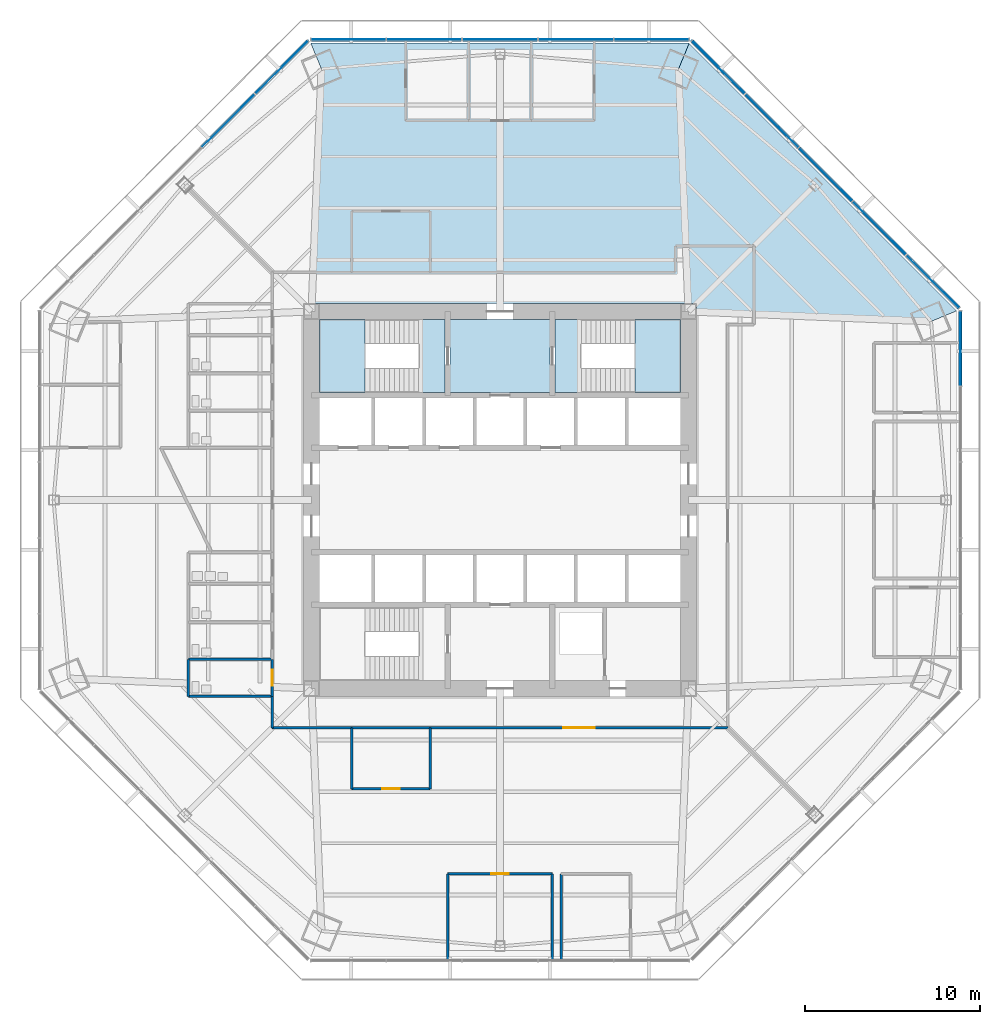
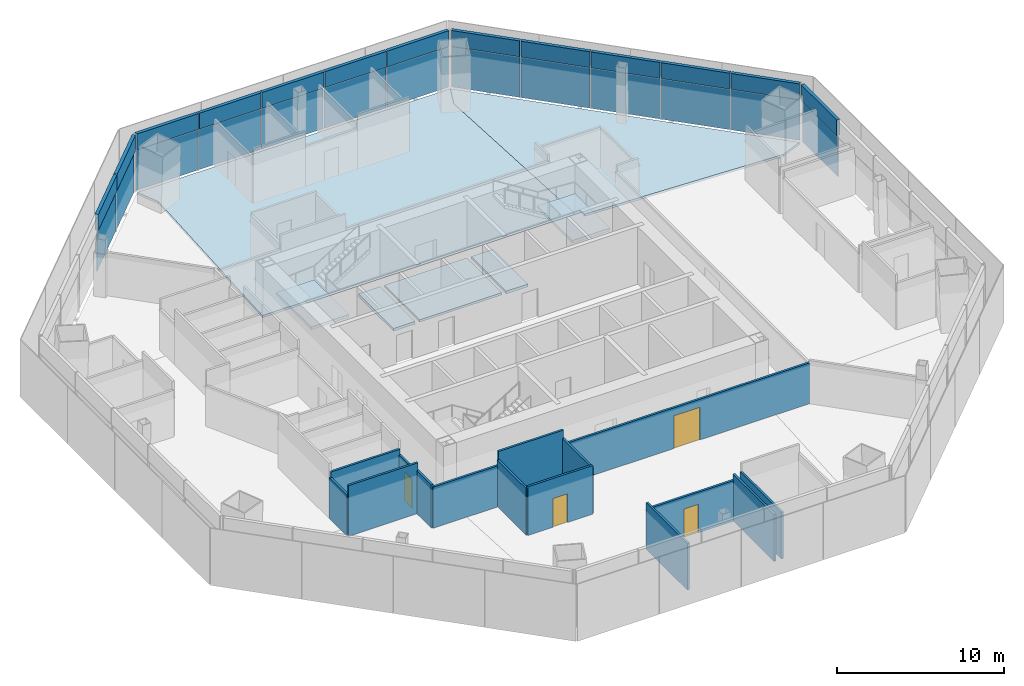
# One storey, part 9 of 15: 26 plates, 15 walls, 7 slabs, 4 doors, 4 openings, 6 elements without a shape of their own.
"""IFC4 building model written with IfcOpenShell, lengths in metres."""

import ifcopenshell
import ifcopenshell.guid

model = None  # the IFC model being written
_history = None  # IfcOwnerHistory: only IFC2X3 demands one
_inside = {}  # id of a spatial element -> (the spatial element, [elements in it])
_under = {}  # id of a project, library or spatial element -> (it, [spatial elements below it])
_declared = {}  # id of a project -> (the project, [libraries it declares])
_typed = {}  # id of a type object -> (the type object, [elements of that type])
_made_of = {}  # id of a material, layer set ... -> (it, [elements and type objects made of it])


def new_model(schema):
    """Start an empty IFC model of exactly this schema.

    Asked for "IFC4X3", IfcOpenShell would pick the latest addendum, in which some entities
    have other attributes; the version numbers below select the first issue.
    IFC2X3 requires an IfcOwnerHistory on every rooted entity: one is made here for all.
    """
    global model, _history
    if schema == "IFC4X3":
        model = ifcopenshell.file(schema_version=(4, 3, 0, 0))
    else:
        model = ifcopenshell.file(schema=schema)
    _inside.clear()
    _under.clear()
    _declared.clear()
    _typed.clear()
    _made_of.clear()
    _history = None
    if model.schema == "IFC2X3":
        org = make("IfcOrganization", Name="unknown")
        user = make(
            "IfcPersonAndOrganization",
            ThePerson=make("IfcPerson", FamilyName="unknown"),
            TheOrganization=org,
        )
        app = make(
            "IfcApplication",
            ApplicationDeveloper=org,
            Version="unknown",
            ApplicationFullName="unknown",
            ApplicationIdentifier="unknown",
        )
        _history = make(
            "IfcOwnerHistory",
            OwningUser=user,
            OwningApplication=app,
            ChangeAction="ADDED",
            CreationDate=0,
        )
    return model


def make(cls, **values):
    """One entity of the class cls with the attributes given. An attribute that is None is left unset."""
    return model.create_entity(
        cls, **{name: value for name, value in values.items() if value is not None}
    )


def rooted(cls, **values):
    """An entity with a GlobalId (a new one), such as an element, a storey or a relation."""
    return make(cls, GlobalId=ifcopenshell.guid.new(), OwnerHistory=_history, **values)


def si_unit(unit_type, name, prefix=None):
    """IfcSIUnit, for example si_unit("LENGTHUNIT", "METRE", prefix="MILLI")."""
    return make("IfcSIUnit", UnitType=unit_type, Prefix=prefix, Name=name)


def assignment(units):
    """IfcUnitAssignment: the units of a project."""
    return None if units is None else make("IfcUnitAssignment", Units=units)


def point(xyz):
    """IfcCartesianPoint."""
    return None if xyz is None else make("IfcCartesianPoint", Coordinates=xyz)


def direction(xyz):
    """IfcDirection."""
    return None if xyz is None else make("IfcDirection", DirectionRatios=xyz)


def frame(location, z_axis=None, x_axis=None):
    """IfcAxis2Placement3D, a coordinate frame: its origin and axes. An axis left out is left unset."""
    return make(
        "IfcAxis2Placement3D",
        Location=point(location),
        Axis=direction(z_axis),
        RefDirection=direction(x_axis),
    )


def frame_2d(location, x_axis=None):
    """IfcAxis2Placement2D, a coordinate frame in the plane: its origin and x axis."""
    return make(
        "IfcAxis2Placement2D", Location=point(location), RefDirection=direction(x_axis)
    )


def origin():
    """The frame at (0, 0, 0) with its axes left unset."""
    return frame((0.0, 0.0, 0.0))


def origin_2d():
    """The frame at (0, 0) in the plane with its x axis left unset."""
    return frame_2d((0.0, 0.0))


def place(relative_to, where):
    """IfcLocalPlacement: puts the frame where relative to a parent placement (None: the world)."""
    return make(
        "IfcLocalPlacement", PlacementRelTo=relative_to, RelativePlacement=where
    )


def context(
    kind, dimensions, precision=None, world=None, true_north=None, identifier=None
):
    """IfcGeometricRepresentationContext, for example the 3D "Model" context."""
    return make(
        "IfcGeometricRepresentationContext",
        ContextIdentifier=identifier,
        ContextType=kind,
        CoordinateSpaceDimension=dimensions,
        Precision=precision,
        WorldCoordinateSystem=world,
        TrueNorth=true_north,
    )


def subcontext(parent, identifier, kind, view, scale=None):
    """IfcGeometricRepresentationSubContext, for example "Body" below "Model"."""
    return make(
        "IfcGeometricRepresentationSubContext",
        ContextIdentifier=identifier,
        ContextType=kind,
        ParentContext=parent,
        TargetScale=scale,
        TargetView=view,
    )


def project(units=None, contexts=None):
    """IfcProject with its units and contexts."""
    return rooted(
        "IfcProject",
        Name="project",
        RepresentationContexts=contexts,
        UnitsInContext=assignment(units),
    )


def spatial(cls, under=None, at=None, **own):
    """A site, building, storey or space (cls), placed at a placement, below another one or the project."""
    s = rooted(cls, ObjectPlacement=at, **own)
    if under is not None:
        _under.setdefault(under.id(), (under, []))[1].append(s)
    return s


def polyline(points):
    """IfcPolyline through the points."""
    return make("IfcPolyline", Points=[point(p) for p in points])


def profile(cls, at=None, kind="AREA", **sizes):
    """A parametric profile (cls). Its sizes go by their IFC names, for example OverallWidth=200.0."""
    return make(cls, ProfileType=kind, Position=at, **sizes)


def rectangle(**sizes):
    """IfcRectangleProfileDef."""
    return profile("IfcRectangleProfileDef", **sizes)


def outline(outer, holes=None, kind="AREA"):
    """IfcArbitraryClosedProfileDef: a profile drawn as a closed curve; with holes, ...WithVoids."""
    if holes is None:
        return make("IfcArbitraryClosedProfileDef", ProfileType=kind, OuterCurve=outer)
    return make(
        "IfcArbitraryProfileDefWithVoids",
        ProfileType=kind,
        OuterCurve=outer,
        InnerCurves=holes,
    )


def extrude(swept, where, along, depth):
    """IfcExtrudedAreaSolid: the profile swept, set in the frame where, extruded along a direction by depth."""
    return make(
        "IfcExtrudedAreaSolid",
        SweptArea=swept,
        Position=where,
        ExtrudedDirection=direction(along),
        Depth=depth,
    )


def shape(context_of_items, identifier, shape_type, items):
    """IfcShapeRepresentation: the items that make up one representation, for example the "Body"."""
    return make(
        "IfcShapeRepresentation",
        ContextOfItems=context_of_items,
        RepresentationIdentifier=identifier,
        RepresentationType=shape_type,
        Items=items,
    )


def source(mapping_origin, context_of_items, identifier, shape_type, items):
    """IfcRepresentationMap: a shape defined once, which mapped items show again and again."""
    return make(
        "IfcRepresentationMap",
        MappingOrigin=mapping_origin,
        MappedRepresentation=shape(context_of_items, identifier, shape_type, items),
    )


def transform(
    local_origin,
    x_axis=None,
    y_axis=None,
    z_axis=None,
    scale=None,
    scale2=None,
    scale3=None,
    uniform=True,
):
    """IfcCartesianTransformationOperator3D, or its non-uniform kind. x_axis, y_axis, z_axis: its Axis1, 2, 3."""
    if uniform:
        return make(
            "IfcCartesianTransformationOperator3D",
            Axis1=direction(x_axis),
            Axis2=direction(y_axis),
            LocalOrigin=point(local_origin),
            Scale=scale,
            Axis3=direction(z_axis),
        )
    return make(
        "IfcCartesianTransformationOperator3DnonUniform",
        Axis1=direction(x_axis),
        Axis2=direction(y_axis),
        LocalOrigin=point(local_origin),
        Scale=scale,
        Axis3=direction(z_axis),
        Scale2=scale2,
        Scale3=scale3,
    )


def mapped(mapping_source, mapping_target):
    """IfcMappedItem: shows the shape of a source again, moved by a transform."""
    return make(
        "IfcMappedItem", MappingSource=mapping_source, MappingTarget=mapping_target
    )


def material(Name=None, Category=None):
    """IfcMaterial."""
    return make("IfcMaterial", Name=Name, Category=Category)


def layer(
    of_material, thickness, ventilated=None, Name=None, Category=None, Priority=None
):
    """IfcMaterialLayer: one layer of a wall or slab, of a material (None: an air gap)."""
    return make(
        "IfcMaterialLayer",
        Material=of_material,
        LayerThickness=thickness,
        IsVentilated=ventilated,
        Name=Name,
        Category=Category,
        Priority=Priority,
    )


def layer_set(layers, Name=None):
    """IfcMaterialLayerSet."""
    return make("IfcMaterialLayerSet", MaterialLayers=layers, LayerSetName=Name)


def made_of(thing, what):
    """Note that an element or type object is made of a material, layer set ...; save() writes the relation."""
    if what is not None:
        _made_of.setdefault(what.id(), (what, []))[1].append(thing)
    return thing


def type_object(cls, material=None, **own):
    """A type object (cls), such as IfcWallType, which elements share."""
    return made_of(rooted(cls, **own), material)


def type_shapes(of_type, sources):
    """Give a type object the sources (RepresentationMaps) that its elements show as mapped items."""
    of_type.RepresentationMaps = sources


def element(
    cls,
    number,
    at=None,
    inside=None,
    cuts=None,
    type_object=None,
    material=None,
    context=None,
    identifier="Body",
    shape_type=None,
    held_by="IfcProductDefinitionShape",
    body=None,
    shapes=None,
    **own,
):
    """One element of the class cls, such as IfcWall. Its Tag is "e" and its number.

    at: its placement. inside: the storey or other place that contains it. cuts: it is an
    opening in that element (IfcRelVoidsElement). A single representation is given by context,
    identifier, shape_type and body (its items); several are given by shapes. held_by: the class
    of the entity that holds the representations. save() writes the other relations.
    """
    e = rooted(cls, Tag="e%d" % number, ObjectPlacement=at, **own)
    if body is not None:
        shapes = [shape(context, identifier, shape_type, body)]
    if shapes is not None:
        e.Representation = make(held_by, Representations=shapes)
    if inside is not None:
        _inside.setdefault(inside.id(), (inside, []))[1].append(e)
    if cuts is not None:
        rooted(
            "IfcRelVoidsElement", RelatingBuildingElement=cuts, RelatedOpeningElement=e
        )
    if type_object is not None:
        _typed.setdefault(type_object.id(), (type_object, []))[1].append(e)
    return made_of(e, material)


def fill(opening, filler):
    """IfcRelFillsElement: the door or window that sits in an opening."""
    return rooted(
        "IfcRelFillsElement",
        RelatingOpeningElement=opening,
        RelatedBuildingElement=filler,
    )


def aggregate(whole, parts):
    """IfcRelAggregates: a whole, such as a stair, and the parts it consists of."""
    return rooted("IfcRelAggregates", RelatingObject=whole, RelatedObjects=parts)


def save(model, path):
    """Write the relations noted so far, then the file.

    IfcRelAggregates (storeys below a building ...), IfcRelContainedInSpatialStructure (elements
    in a storey), IfcRelDefinesByType, IfcRelAssociatesMaterial and IfcRelDeclares: one each for
    every whole, place, type object, material and project.
    """
    for whole, parts in _under.values():
        aggregate(whole, parts)
    for where, things in _inside.values():
        rooted(
            "IfcRelContainedInSpatialStructure",
            RelatedElements=things,
            RelatingStructure=where,
        )
    for kind, things in _typed.values():
        rooted("IfcRelDefinesByType", RelatedObjects=things, RelatingType=kind)
    for what, things in _made_of.values():
        rooted("IfcRelAssociatesMaterial", RelatedObjects=things, RelatingMaterial=what)
    for by, libraries in _declared.values():
        rooted("IfcRelDeclares", RelatingContext=by, RelatedDefinitions=libraries)
    model.write(path)


model = new_model("IFC4")

# Units and contexts
model_context = context("Model", 3, precision=1e-05, world=origin(), true_north=direction((0.0, 1.0)))
body_context = subcontext(model_context, "Body", "Model", "MODEL_VIEW")
ifc_project = project(units=[si_unit("LENGTHUNIT", "METRE"), si_unit("AREAUNIT", "SQUARE_METRE"), si_unit("VOLUMEUNIT", "CUBIC_METRE"), si_unit("PLANEANGLEUNIT", "RADIAN"), si_unit("MASSUNIT", "GRAM", prefix="KILO")], contexts=[model_context])

# Site, building, storey
site_placement = place(None, origin())
site = spatial("IfcSite", under=ifc_project, at=site_placement, CompositionType="ELEMENT")
building_placement = place(site_placement, origin())
building = spatial("IfcBuilding", under=site, at=building_placement, Name="Mashrafa Tower", CompositionType="ELEMENT")
storey_placement = place(building_placement, frame((0.0, 0.0, 58.199951171875)))
storey = spatial("IfcBuildingStorey", under=building, at=storey_placement, Name="L12", CompositionType="ELEMENT", Elevation=58.199951171875)

# Slabs
ifc_material_1 = material(Name="Concrete C35/45", Category="concrete")
ifc_layer_1 = layer(ifc_material_1, 0.1650390625)
ifc_layer_set_1 = layer_set([ifc_layer_1], Name="Floor slab 165")
slab_type_1 = type_object("IfcSlabType", Name="Floor slab 165", PredefinedType="FLOOR", material=ifc_layer_set_1)
slab_1_placement = place(storey_placement, frame((0.0, 0.0, -0.1650390625)))
element("IfcSlab", 1, at=slab_1_placement, inside=storey, type_object=slab_type_1, Name="Floor slab L12 north-east bay", PredefinedType="FLOOR", context=body_context, shape_type="SweptSolid", body=[
    extrude(outline(polyline([(10.83935546875, 26.168212890625), (26.168212890625, 10.83935546875), (26.168212890625, 10.83935546875), (24.69482421875, 10.22900390625), (11.25, 10.781494140625), (11.25, 11.25), (10.781494140625, 11.25), (10.22900390625, 24.69482421875), (10.83935546875, 26.168212890625), (10.83935546875, 26.168212890625)])), origin(), (0.0, 0.0, 1.0), 0.1650390625),
])
slab_2_placement = place(storey_placement, frame((0.0, 0.0, -0.1650390625)))
element("IfcSlab", 2, at=slab_2_placement, inside=storey, type_object=slab_type_1, Name="Floor slab L12 north bay", PredefinedType="FLOOR", context=body_context, shape_type="SweptSolid", body=[
    extrude(outline(polyline([(10.83935546875, 26.168212890625), (10.22900390625, 24.69482421875), (10.781494140625, 11.25), (-10.781494140625, 11.25), (-10.22900390625, 24.69482421875), (-10.83935546875, 26.168212890625), (10.83935546875, 26.168212890625)])), origin(), (0.0, 0.0, 1.0), 0.1650390625),
])
slab_3_placement = place(storey_placement, frame((0.0, 0.0, -0.1650390625)))
element("IfcSlab", 3, at=slab_3_placement, inside=storey, type_object=slab_type_1, Name="Core floor fire-fighting lobby north L12", PredefinedType="FLOOR", context=body_context, shape_type="SweptSolid", body=[
    extrude(outline(polyline([(-2.85009765625, 10.35009765625), (2.85009765625, 10.35009765625), (2.85009765625, 6.14990234375), (-2.85009765625, 6.14990234375), (-2.85009765625, 10.35009765625)])), origin(), (0.0, 0.0, 1.0), 0.1650390625),
])

# Stair, slabs
ifc_material_2 = material(Name="Exit stair 1400")
stair_type = type_object("IfcStairType", Name="Exit stair 1400", PredefinedType="HALF_TURN_STAIR", material=ifc_material_2)
stair_1_placement = place(storey_placement, origin())
stair_1 = element("IfcStair", 4, at=stair_1_placement, inside=storey, type_object=stair_type, Name="Stair S1 L12", PredefinedType="HALF_TURN_STAIR")
ifc_material_3 = material(Name="Concrete C32/40", Category="concrete")
ifc_layer_2 = layer(ifc_material_3, 0.199951171875)
ifc_layer_set_2 = layer_set([ifc_layer_2], Name="Stair landing 200")
slab_type_2 = type_object("IfcSlabType", Name="Stair landing 200", PredefinedType="LANDING", material=ifc_layer_set_2)
slab_4_placement = place(storey_placement, frame((0.0, 0.0, -0.199951171875)))
slab_4 = element("IfcSlab", 5, at=slab_4_placement, type_object=slab_type_2, Name="S1 landing 1", PredefinedType="LANDING", context=body_context, shape_type="SweptSolid", body=[
    extrude(outline(polyline([(-4.659912109375, 6.14990234375), (-3.14990234375, 6.14990234375), (-3.14990234375, 10.35009765625), (-4.659912109375, 10.35009765625), (-4.659912109375, 6.14990234375)])), origin(), (0.0, 0.0, 1.0), 0.199951171875),
])
slab_5_placement = place(storey_placement, frame((0.0, 0.0, 1.900146484375)))
slab_5 = element("IfcSlab", 6, at=slab_5_placement, type_object=slab_type_2, Name="S1 landing 2", PredefinedType="LANDING", context=body_context, shape_type="SweptSolid", body=[
    extrude(outline(polyline([(-10.35009765625, 6.14990234375), (-7.719970703125, 6.14990234375), (-7.719970703125, 10.35009765625), (-10.35009765625, 10.35009765625), (-10.35009765625, 6.14990234375)])), origin(), (0.0, 0.0, 1.0), 0.199951171875),
])
aggregate(stair_1, [slab_4, slab_5])

stair_2_placement = place(storey_placement, origin())
stair_2 = element("IfcStair", 7, at=stair_2_placement, inside=storey, type_object=stair_type, Name="Stair S2 L12", PredefinedType="HALF_TURN_STAIR")
slab_6_placement = place(storey_placement, frame((0.0, 0.0, -0.199951171875)))
slab_6 = element("IfcSlab", 8, at=slab_6_placement, type_object=slab_type_2, Name="S2 landing 1", PredefinedType="LANDING", context=body_context, shape_type="SweptSolid", body=[
    extrude(outline(polyline([(3.14990234375, 6.14990234375), (4.659912109375, 6.14990234375), (4.659912109375, 10.35009765625), (3.14990234375, 10.35009765625), (3.14990234375, 6.14990234375)])), origin(), (0.0, 0.0, 1.0), 0.199951171875),
])
slab_7_placement = place(storey_placement, frame((0.0, 0.0, 1.900146484375)))
slab_7 = element("IfcSlab", 9, at=slab_7_placement, type_object=slab_type_2, Name="S2 landing 2", PredefinedType="LANDING", context=body_context, shape_type="SweptSolid", body=[
    extrude(outline(polyline([(7.719970703125, 6.14990234375), (10.35009765625, 6.14990234375), (10.35009765625, 10.35009765625), (7.719970703125, 10.35009765625), (7.719970703125, 6.14990234375)])), origin(), (0.0, 0.0, 1.0), 0.199951171875),
])
aggregate(stair_2, [slab_6, slab_7])

# Curtain wall, plate
ifc_material_4 = material(Name="Unitised aluminium curtain wall", Category="aluminium")
curtain_wall_type = type_object("IfcCurtainWallType", Name="Office curtain wall, zone 1 CW-A 200 deep", PredefinedType="NOTDEFINED", material=ifc_material_4)
curtain_wall_1_placement = place(storey_placement, origin())
curtain_wall_1 = element("IfcCurtainWall", 10, at=curtain_wall_1_placement, inside=storey, type_object=curtain_wall_type, Name="Office curtain wall, zone 1 L12 east", PredefinedType="NOTDEFINED")
ifc_material_5 = material(Name="Insulated double glazing, low-e, neutral", Category="glass")
ifc_layer_3 = layer(ifc_material_5, 0.028076171875)
ifc_layer_set_3 = layer_set([ifc_layer_3], Name="Vision panel CW-A 28")
plate_type_1 = type_object("IfcPlateType", Name="Vision panel CW-A 28", PredefinedType="CURTAIN_PANEL", material=ifc_layer_set_3)
shared_shape_1 = source(origin(), body_context, "Body", "SweptSolid", [
    extrude(rectangle(XDim=4.250732421875, YDim=0.028076171875, at=origin_2d()), origin(), (0.0, 0.0, 1.0), 2.9599609375),
])
plate_1_placement = place(storey_placement, frame((26.368408203125, 8.680419921875, 0.0), z_axis=(0.0, 0.0, 1.0), x_axis=(0.0, 1.0, 0.0)))
plate_1 = element("IfcPlate", 11, at=plate_1_placement, type_object=plate_type_1, Name="CW-A vision panel 5", PredefinedType="CURTAIN_PANEL", context=body_context, shape_type="MappedRepresentation", body=[
    mapped(shared_shape_1, transform((0.0, 0.0, 0.0))),
])

# Curtain wall, plates
curtain_wall_2_placement = place(storey_placement, origin())
curtain_wall_2 = element("IfcCurtainWall", 12, at=curtain_wall_2_placement, inside=storey, type_object=curtain_wall_type, Name="Office curtain wall, zone 1 L12 north-east", PredefinedType="NOTDEFINED")
plate_2_placement = place(storey_placement, frame((24.783203125, 12.50732421875, 0.0), z_axis=(0.0, 0.0, 1.0), x_axis=(-0.707106781187, 0.707106781187, 0.0)))
plate_2 = element("IfcPlate", 13, at=plate_2_placement, type_object=plate_type_1, Name="CW-A vision panel 1", PredefinedType="CURTAIN_PANEL", context=body_context, shape_type="MappedRepresentation", body=[
    mapped(shared_shape_1, transform((0.0, 0.0, 0.0))),
])
plate_3_placement = place(storey_placement, frame((12.50732421875, 24.783203125, 0.0), z_axis=(0.0, 0.0, 1.0), x_axis=(-0.707106781187, 0.707106781187, 0.0)))
plate_3 = element("IfcPlate", 14, at=plate_3_placement, type_object=plate_type_1, Name="CW-A vision panel 5", PredefinedType="CURTAIN_PANEL", context=body_context, shape_type="MappedRepresentation", body=[
    mapped(shared_shape_1, transform((0.0, 0.0, 0.0))),
])

curtain_wall_3_placement = place(storey_placement, origin())
curtain_wall_3 = element("IfcCurtainWall", 15, at=curtain_wall_3_placement, inside=storey, type_object=curtain_wall_type, Name="Office curtain wall, zone 1 L12 north", PredefinedType="NOTDEFINED")
plate_4_placement = place(storey_placement, frame((8.680419921875, 26.368408203125, 0.0), z_axis=(0.0, 0.0, 1.0), x_axis=(-1.0, 0.0, 0.0)))
plate_4 = element("IfcPlate", 16, at=plate_4_placement, type_object=plate_type_1, Name="CW-A vision panel 1", PredefinedType="CURTAIN_PANEL", context=body_context, shape_type="MappedRepresentation", body=[
    mapped(shared_shape_1, transform((0.0, 0.0, 0.0))),
])
plate_5_placement = place(storey_placement, frame((-8.680419921875, 26.368408203125, 0.0), z_axis=(0.0, 0.0, 1.0), x_axis=(-1.0, 0.0, 0.0)))
plate_5 = element("IfcPlate", 17, at=plate_5_placement, type_object=plate_type_1, Name="CW-A vision panel 5", PredefinedType="CURTAIN_PANEL", context=body_context, shape_type="MappedRepresentation", body=[
    mapped(shared_shape_1, transform((0.0, 0.0, 0.0))),
])

# Curtain wall, plate
curtain_wall_4_placement = place(storey_placement, origin())
curtain_wall_4 = element("IfcCurtainWall", 18, at=curtain_wall_4_placement, inside=storey, type_object=curtain_wall_type, Name="Office curtain wall, zone 1 L12 north-west", PredefinedType="NOTDEFINED")
plate_6_placement = place(storey_placement, frame((-12.50732421875, 24.783203125, 0.0), z_axis=(0.0, 0.0, 1.0), x_axis=(-0.707106781187, -0.707106781187, 0.0)))
plate_6 = element("IfcPlate", 19, at=plate_6_placement, type_object=plate_type_1, Name="CW-A vision panel 1", PredefinedType="CURTAIN_PANEL", context=body_context, shape_type="MappedRepresentation", body=[
    mapped(shared_shape_1, transform((0.0, 0.0, 0.0))),
])

# Plate
ifc_material_6 = material(Name="Insulated aluminium spandrel panel", Category="aluminium")
ifc_layer_4 = layer(ifc_material_6, 0.219970703125)
ifc_layer_set_4 = layer_set([ifc_layer_4], Name="Spandrel panel CW-A 220")
plate_type_2 = type_object("IfcPlateType", Name="Spandrel panel CW-A 220", PredefinedType="CURTAIN_PANEL", material=ifc_layer_set_4)
shared_shape_2 = source(origin(), body_context, "Body", "SweptSolid", [
    extrude(rectangle(XDim=4.250732421875, YDim=0.219970703125, at=origin_2d()), origin(), (0.0, 0.0, 1.0), 1.159912109375),
])
plate_7_placement = place(storey_placement, frame((26.368408203125, 8.680419921875, 3.0400390625), z_axis=(0.0, 0.0, 1.0), x_axis=(0.0, 1.0, 0.0)))
plate_7 = element("IfcPlate", 20, at=plate_7_placement, type_object=plate_type_2, Name="CW-A spandrel panel 5", PredefinedType="CURTAIN_PANEL", context=body_context, shape_type="MappedRepresentation", body=[
    mapped(shared_shape_2, transform((0.0, 0.0, 0.0))),
])

aggregate(curtain_wall_1, [plate_1, plate_7])

plate_8_placement = place(storey_placement, frame((24.783203125, 12.50732421875, 3.0400390625), z_axis=(0.0, 0.0, 1.0), x_axis=(-0.707106781187, 0.707106781187, 0.0)))
plate_8 = element("IfcPlate", 21, at=plate_8_placement, type_object=plate_type_2, Name="CW-A spandrel panel 1", PredefinedType="CURTAIN_PANEL", context=body_context, shape_type="MappedRepresentation", body=[
    mapped(shared_shape_2, transform((0.0, 0.0, 0.0))),
])

plate_9_placement = place(storey_placement, frame((12.50732421875, 24.783203125, 3.0400390625), z_axis=(0.0, 0.0, 1.0), x_axis=(-0.707106781187, 0.707106781187, 0.0)))
plate_9 = element("IfcPlate", 22, at=plate_9_placement, type_object=plate_type_2, Name="CW-A spandrel panel 5", PredefinedType="CURTAIN_PANEL", context=body_context, shape_type="MappedRepresentation", body=[
    mapped(shared_shape_2, transform((0.0, 0.0, 0.0))),
])

plate_10_placement = place(storey_placement, frame((8.680419921875, 26.368408203125, 3.0400390625), z_axis=(0.0, 0.0, 1.0), x_axis=(-1.0, 0.0, 0.0)))
plate_10 = element("IfcPlate", 23, at=plate_10_placement, type_object=plate_type_2, Name="CW-A spandrel panel 1", PredefinedType="CURTAIN_PANEL", context=body_context, shape_type="MappedRepresentation", body=[
    mapped(shared_shape_2, transform((0.0, 0.0, 0.0))),
])

plate_11_placement = place(storey_placement, frame((-8.680419921875, 26.368408203125, 3.0400390625), z_axis=(0.0, 0.0, 1.0), x_axis=(-1.0, 0.0, 0.0)))
plate_11 = element("IfcPlate", 24, at=plate_11_placement, type_object=plate_type_2, Name="CW-A spandrel panel 5", PredefinedType="CURTAIN_PANEL", context=body_context, shape_type="MappedRepresentation", body=[
    mapped(shared_shape_2, transform((0.0, 0.0, 0.0))),
])

plate_12_placement = place(storey_placement, frame((-12.50732421875, 24.783203125, 3.0400390625), z_axis=(0.0, 0.0, 1.0), x_axis=(-0.707106781187, -0.707106781187, 0.0)))
plate_12 = element("IfcPlate", 25, at=plate_12_placement, type_object=plate_type_2, Name="CW-A spandrel panel 1", PredefinedType="CURTAIN_PANEL", context=body_context, shape_type="MappedRepresentation", body=[
    mapped(shared_shape_2, transform((0.0, 0.0, 0.0))),
])

shared_shape_3 = source(origin(), body_context, "Body", "SweptSolid", [
    extrude(rectangle(XDim=4.283203125, YDim=0.028076171875, at=origin_2d()), origin(), (0.0, 0.0, 1.0), 2.9599609375),
])
type_shapes(plate_type_1, [shared_shape_1, shared_shape_3])
plate_13_placement = place(storey_placement, frame((21.719970703125, 15.570556640625, 0.0), z_axis=(0.0, 0.0, 1.0), x_axis=(-0.707106781187, 0.707106781187, 0.0)))
plate_13 = element("IfcPlate", 26, at=plate_13_placement, type_object=plate_type_1, Name="CW-A vision panel 2", PredefinedType="CURTAIN_PANEL", context=body_context, shape_type="MappedRepresentation", body=[
    mapped(shared_shape_3, transform((0.0, 0.0, 0.0))),
])

plate_14_placement = place(storey_placement, frame((18.645263671875, 18.645263671875, 0.0), z_axis=(0.0, 0.0, 1.0), x_axis=(-0.707106781187, 0.707106781187, 0.0)))
plate_14 = element("IfcPlate", 27, at=plate_14_placement, type_object=plate_type_1, Name="CW-A vision panel 3", PredefinedType="CURTAIN_PANEL", context=body_context, shape_type="MappedRepresentation", body=[
    mapped(shared_shape_3, transform((0.0, 0.0, 0.0))),
])

plate_15_placement = place(storey_placement, frame((15.570556640625, 21.719970703125, 0.0), z_axis=(0.0, 0.0, 1.0), x_axis=(-0.707106781187, 0.707106781187, 0.0)))
plate_15 = element("IfcPlate", 28, at=plate_15_placement, type_object=plate_type_1, Name="CW-A vision panel 4", PredefinedType="CURTAIN_PANEL", context=body_context, shape_type="MappedRepresentation", body=[
    mapped(shared_shape_3, transform((0.0, 0.0, 0.0))),
])

plate_16_placement = place(storey_placement, frame((4.348388671875, 26.368408203125, 0.0), z_axis=(0.0, 0.0, 1.0), x_axis=(-1.0, 0.0, 0.0)))
plate_16 = element("IfcPlate", 29, at=plate_16_placement, type_object=plate_type_1, Name="CW-A vision panel 2", PredefinedType="CURTAIN_PANEL", context=body_context, shape_type="MappedRepresentation", body=[
    mapped(shared_shape_3, transform((0.0, 0.0, 0.0))),
])

plate_17_placement = place(storey_placement, frame((0.0, 26.368408203125, 0.0), z_axis=(0.0, 0.0, 1.0), x_axis=(-1.0, 0.0, 0.0)))
plate_17 = element("IfcPlate", 30, at=plate_17_placement, type_object=plate_type_1, Name="CW-A vision panel 3", PredefinedType="CURTAIN_PANEL", context=body_context, shape_type="MappedRepresentation", body=[
    mapped(shared_shape_3, transform((0.0, 0.0, 0.0))),
])

plate_18_placement = place(storey_placement, frame((-4.348388671875, 26.368408203125, 0.0), z_axis=(0.0, 0.0, 1.0), x_axis=(-1.0, 0.0, 0.0)))
plate_18 = element("IfcPlate", 31, at=plate_18_placement, type_object=plate_type_1, Name="CW-A vision panel 4", PredefinedType="CURTAIN_PANEL", context=body_context, shape_type="MappedRepresentation", body=[
    mapped(shared_shape_3, transform((0.0, 0.0, 0.0))),
])

plate_19_placement = place(storey_placement, frame((-15.570556640625, 21.719970703125, 0.0), z_axis=(0.0, 0.0, 1.0), x_axis=(-0.707106781187, -0.707106781187, 0.0)))
plate_19 = element("IfcPlate", 32, at=plate_19_placement, type_object=plate_type_1, Name="CW-A vision panel 2", PredefinedType="CURTAIN_PANEL", context=body_context, shape_type="MappedRepresentation", body=[
    mapped(shared_shape_3, transform((0.0, 0.0, 0.0))),
])

shared_shape_4 = source(origin(), body_context, "Body", "SweptSolid", [
    extrude(rectangle(XDim=4.283203125, YDim=0.219970703125, at=origin_2d()), origin(), (0.0, 0.0, 1.0), 1.159912109375),
])
type_shapes(plate_type_2, [shared_shape_2, shared_shape_4])
plate_20_placement = place(storey_placement, frame((21.719970703125, 15.570556640625, 3.0400390625), z_axis=(0.0, 0.0, 1.0), x_axis=(-0.707106781187, 0.707106781187, 0.0)))
plate_20 = element("IfcPlate", 33, at=plate_20_placement, type_object=plate_type_2, Name="CW-A spandrel panel 2", PredefinedType="CURTAIN_PANEL", context=body_context, shape_type="MappedRepresentation", body=[
    mapped(shared_shape_4, transform((0.0, 0.0, 0.0))),
])

plate_21_placement = place(storey_placement, frame((18.645263671875, 18.645263671875, 3.0400390625), z_axis=(0.0, 0.0, 1.0), x_axis=(-0.707106781187, 0.707106781187, 0.0)))
plate_21 = element("IfcPlate", 34, at=plate_21_placement, type_object=plate_type_2, Name="CW-A spandrel panel 3", PredefinedType="CURTAIN_PANEL", context=body_context, shape_type="MappedRepresentation", body=[
    mapped(shared_shape_4, transform((0.0, 0.0, 0.0))),
])

plate_22_placement = place(storey_placement, frame((15.570556640625, 21.719970703125, 3.0400390625), z_axis=(0.0, 0.0, 1.0), x_axis=(-0.707106781187, 0.707106781187, 0.0)))
plate_22 = element("IfcPlate", 35, at=plate_22_placement, type_object=plate_type_2, Name="CW-A spandrel panel 4", PredefinedType="CURTAIN_PANEL", context=body_context, shape_type="MappedRepresentation", body=[
    mapped(shared_shape_4, transform((0.0, 0.0, 0.0))),
])

aggregate(curtain_wall_2, [plate_2, plate_8, plate_13, plate_20, plate_14, plate_21, plate_15, plate_22, plate_3, plate_9])

plate_23_placement = place(storey_placement, frame((4.348388671875, 26.368408203125, 3.0400390625), z_axis=(0.0, 0.0, 1.0), x_axis=(-1.0, 0.0, 0.0)))
plate_23 = element("IfcPlate", 36, at=plate_23_placement, type_object=plate_type_2, Name="CW-A spandrel panel 2", PredefinedType="CURTAIN_PANEL", context=body_context, shape_type="MappedRepresentation", body=[
    mapped(shared_shape_4, transform((0.0, 0.0, 0.0))),
])

plate_24_placement = place(storey_placement, frame((0.0, 26.368408203125, 3.0400390625), z_axis=(0.0, 0.0, 1.0), x_axis=(-1.0, 0.0, 0.0)))
plate_24 = element("IfcPlate", 37, at=plate_24_placement, type_object=plate_type_2, Name="CW-A spandrel panel 3", PredefinedType="CURTAIN_PANEL", context=body_context, shape_type="MappedRepresentation", body=[
    mapped(shared_shape_4, transform((0.0, 0.0, 0.0))),
])

plate_25_placement = place(storey_placement, frame((-4.348388671875, 26.368408203125, 3.0400390625), z_axis=(0.0, 0.0, 1.0), x_axis=(-1.0, 0.0, 0.0)))
plate_25 = element("IfcPlate", 38, at=plate_25_placement, type_object=plate_type_2, Name="CW-A spandrel panel 4", PredefinedType="CURTAIN_PANEL", context=body_context, shape_type="MappedRepresentation", body=[
    mapped(shared_shape_4, transform((0.0, 0.0, 0.0))),
])

aggregate(curtain_wall_3, [plate_4, plate_10, plate_16, plate_23, plate_17, plate_24, plate_18, plate_25, plate_5, plate_11])

plate_26_placement = place(storey_placement, frame((-15.570556640625, 21.719970703125, 3.0400390625), z_axis=(0.0, 0.0, 1.0), x_axis=(-0.707106781187, -0.707106781187, 0.0)))
plate_26 = element("IfcPlate", 39, at=plate_26_placement, type_object=plate_type_2, Name="CW-A spandrel panel 2", PredefinedType="CURTAIN_PANEL", context=body_context, shape_type="MappedRepresentation", body=[
    mapped(shared_shape_4, transform((0.0, 0.0, 0.0))),
])

aggregate(curtain_wall_4, [plate_6, plate_12, plate_19, plate_26])

# Wall, opening, door
ifc_material_7 = material(Name="Gypsum board on steel studs", Category="steel")
ifc_layer_5 = layer(ifc_material_7, 0.14990234375)
ifc_layer_set_5 = layer_set([ifc_layer_5], Name="Corridor partition 150 1 hr")
wall_type_1 = type_object("IfcWallType", Name="Corridor partition 150 1 hr", PredefinedType="PARTITIONING", material=ifc_layer_set_5)
wall_1_placement = place(storey_placement, frame((-13.050048828125, -9.1240234375, 0.0), z_axis=(0.0, 0.0, 1.0), x_axis=(0.0, -1.0, 0.0)))
wall_1 = element("IfcWall", 40, at=wall_1_placement, inside=storey, type_object=wall_type_1, Name="Corridor wall L12-005", PredefinedType="PARTITIONING", context=body_context, shape_type="SweptSolid", body=[
    extrude(rectangle(XDim=2.126953125, YDim=0.14990234375, at=frame_2d((1.0634765625, 0.0))), origin(), (0.0, 0.0, 1.0), 3.01416015625),
])
opening_1_placement = place(wall_1_placement, frame((0.613525390625, 0.0, 0.0)))
opening_1 = element("IfcOpeningElement", 41, at=opening_1_placement, cuts=wall_1, Name="Opening 12.005", PredefinedType="OPENING", context=body_context, shape_type="SweptSolid", body=[
    extrude(rectangle(XDim=0.89990234375, YDim=2.10009765625, at=frame_2d((0.449951171875, 1.050048828125))), frame((0.0, 0.0849609375, 0.0), z_axis=(0.0, -1.0, 0.0), x_axis=(1.0, 0.0, 0.0)), (0.0, 0.0, 1.0), 0.169921875),
])
ifc_material_8 = material(Name="Timber door", Category="wood")
door_type_1 = type_object("IfcDoorType", Name="Toilet door 900 x 2100", OperationType="USERDEFINED", PredefinedType="DOOR", material=ifc_material_8)
door_1_placement = place(opening_1_placement, frame((0.89990234375, 0.0, 0.0), z_axis=(0.0, 0.0, 1.0), x_axis=(-1.0, 0.0, 0.0)))
door_1 = element("IfcDoor", 42, at=door_1_placement, inside=storey, type_object=door_type_1, Name="WC Female L12 S door", OperationType="SINGLE_SWING_RIGHT", OverallHeight=2.10009765625, OverallWidth=0.89990234375, PredefinedType="DOOR", context=body_context, shape_type="SweptSolid", body=[
    extrude(rectangle(XDim=0.89990234375, YDim=2.10009765625, at=frame_2d((0.449951171875, 1.050048828125))), frame((0.0, 0.02490234375, 0.0), z_axis=(0.0, -1.0, 0.0), x_axis=(1.0, 0.0, 0.0)), (0.0, 0.0, 1.0), 0.050048828125),
])
fill(opening_1, door_1)

# Walls
wall_2_placement = place(storey_placement, frame((-8.5009765625, -13.050048828125, 0.0), z_axis=(0.0, 0.0, 1.0), x_axis=(1.0, 0.0, 0.0)))
element("IfcWall", 43, at=wall_2_placement, inside=storey, type_object=wall_type_1, Name="Corridor wall L12-011", PredefinedType="PARTITIONING", context=body_context, shape_type="SweptSolid", body=[
    extrude(rectangle(XDim=4.501953125, YDim=0.14990234375, at=frame_2d((2.2509765625, 0.0))), origin(), (0.0, 0.0, 1.0), 4.03515625),
])
wall_3_placement = place(storey_placement, frame((-13.050048828125, -11.2490234375, 0.0), z_axis=(0.0, 0.0, 1.0), x_axis=(0.0, -1.0, 0.0)))
element("IfcWall", 44, at=wall_3_placement, inside=storey, type_object=wall_type_1, Name="Corridor wall L12-019", PredefinedType="PARTITIONING", context=body_context, shape_type="SweptSolid", body=[
    extrude(rectangle(XDim=1.801025390625, YDim=0.14990234375, at=frame_2d((0.900390625, 0.0))), origin(), (0.0, 0.0, 1.0), 3.16650390625),
])
wall_4_placement = place(storey_placement, frame((-13.050048828125, -13.050048828125, 0.0), z_axis=(0.0, 0.0, 1.0), x_axis=(1.0, 0.0, 0.0)))
element("IfcWall", 45, at=wall_4_placement, inside=storey, type_object=wall_type_1, Name="Corridor wall L12-020", PredefinedType="PARTITIONING", context=body_context, shape_type="SweptSolid", body=[
    extrude(rectangle(XDim=4.551025390625, YDim=0.14990234375, at=frame_2d((2.275390625, 0.0))), origin(), (0.0, 0.0, 1.0), 3.01416015625),
])

# Wall, opening, door
wall_5_placement = place(storey_placement, frame((-4.0009765625, -13.050048828125, 0.0), z_axis=(0.0, 0.0, 1.0), x_axis=(1.0, 0.0, 0.0)))
wall_5 = element("IfcWall", 46, at=wall_5_placement, inside=storey, type_object=wall_type_1, Name="Corridor wall L12-022", PredefinedType="PARTITIONING", context=body_context, shape_type="SweptSolid", body=[
    extrude(rectangle(XDim=17.051025390625, YDim=0.14990234375, at=frame_2d((8.525390625, 0.0))), origin(), (0.0, 0.0, 1.0), 2.983642578125),
])
opening_2_placement = place(wall_5_placement, frame((7.62548828125, 0.0, 0.0)))
opening_2 = element("IfcOpeningElement", 47, at=opening_2_placement, cuts=wall_5, Name="Opening 12.023", PredefinedType="OPENING", context=body_context, shape_type="SweptSolid", body=[
    extrude(rectangle(XDim=1.800048828125, YDim=2.39990234375, at=frame_2d((0.89990234375, 1.199951171875))), frame((0.0, 0.0849609375, 0.0), z_axis=(0.0, -1.0, 0.0), x_axis=(1.0, 0.0, 0.0)), (0.0, 0.0, 1.0), 0.169921875),
])
ifc_material_9 = material(Name="Timber door", Category="wood")
door_type_2 = type_object("IfcDoorType", Name="Door pair 1800 x 2400", OperationType="DOUBLE_DOOR_SINGLE_SWING", PredefinedType="DOOR", material=ifc_material_9)
door_2_placement = place(opening_2_placement, origin())
door_2 = element("IfcDoor", 48, at=door_2_placement, inside=storey, type_object=door_type_2, Name="Office Tenancy 12-B door", OperationType="DOUBLE_DOOR_SINGLE_SWING", OverallHeight=2.39990234375, OverallWidth=1.800048828125, PredefinedType="DOOR", context=body_context, shape_type="SweptSolid", body=[
    extrude(rectangle(XDim=1.800048828125, YDim=2.39990234375, at=frame_2d((0.89990234375, 1.199951171875))), frame((0.0, 0.02490234375, 0.0), z_axis=(0.0, -1.0, 0.0), x_axis=(1.0, 0.0, 0.0)), (0.0, 0.0, 1.0), 0.050048828125),
])
fill(opening_2, door_2)

# Walls
ifc_material_10 = material(Name="Gypsum board on steel studs", Category="steel")
ifc_layer_6 = layer(ifc_material_10, 0.14990234375)
ifc_layer_set_6 = layer_set([ifc_layer_6], Name="Partition 150")
wall_type_2 = type_object("IfcWallType", Name="Partition 150", PredefinedType="PARTITIONING", material=ifc_layer_set_6)
wall_6_placement = place(storey_placement, frame((-13.050048828125, -9.125, 0.0), z_axis=(0.0, 0.0, 1.0), x_axis=(-1.0, 0.0, 0.0)))
element("IfcWall", 49, at=wall_6_placement, inside=storey, type_object=wall_type_2, Name="Partition wall L12-032", PredefinedType="PARTITIONING", context=body_context, shape_type="SweptSolid", body=[
    extrude(rectangle(XDim=4.800048828125, YDim=0.14990234375, at=frame_2d((2.39990234375, 0.0))), origin(), (0.0, 0.0, 1.0), 3.423095703125),
])
wall_7_placement = place(storey_placement, frame((-17.85009765625, -9.125, 0.0), z_axis=(0.0, 0.0, 1.0), x_axis=(0.0, -1.0, 0.0)))
element("IfcWall", 50, at=wall_7_placement, inside=storey, type_object=wall_type_2, Name="Partition wall L12-033", PredefinedType="PARTITIONING", context=body_context, shape_type="SweptSolid", body=[
    extrude(rectangle(XDim=2.125, YDim=0.14990234375, at=frame_2d((1.0625, 0.0))), origin(), (0.0, 0.0, 1.0), 3.01416015625),
])
wall_8_placement = place(storey_placement, frame((-17.85009765625, -11.25, 0.0), z_axis=(0.0, 0.0, 1.0), x_axis=(1.0, 0.0, 0.0)))
element("IfcWall", 51, at=wall_8_placement, inside=storey, type_object=wall_type_2, Name="Partition wall L12-034", PredefinedType="PARTITIONING", context=body_context, shape_type="SweptSolid", body=[
    extrude(rectangle(XDim=4.800048828125, YDim=0.14990234375, at=frame_2d((2.39990234375, 0.0))), origin(), (0.0, 0.0, 1.0), 3.715087890625),
])
wall_9_placement = place(storey_placement, frame((3.0, -26.350341796875, 0.0), z_axis=(0.0, 0.0, 1.0), x_axis=(0.0, 1.0, 0.0)))
element("IfcWall", 52, at=wall_9_placement, inside=storey, type_object=wall_type_2, Name="Partition wall L12-050", PredefinedType="PARTITIONING", context=body_context, shape_type="SweptSolid", body=[
    extrude(rectangle(XDim=4.93212890625, YDim=0.14990234375, at=frame_2d((2.466064453125, 0.0))), origin(), (0.0, 0.0, 1.0), 3.423095703125),
])

# Wall, opening, door
wall_10_placement = place(storey_placement, frame((3.0, -21.418212890625, 0.0), z_axis=(0.0, 0.0, 1.0), x_axis=(-1.0, 0.0, 0.0)))
wall_10 = element("IfcWall", 53, at=wall_10_placement, inside=storey, type_object=wall_type_2, Name="Partition wall L12-051", PredefinedType="PARTITIONING", context=body_context, shape_type="SweptSolid", body=[
    extrude(rectangle(XDim=6.0, YDim=0.14990234375, at=frame_2d((3.0, 0.0))), origin(), (0.0, 0.0, 1.0), 2.983642578125),
])
opening_3_placement = place(wall_10_placement, frame((2.5, 0.0, 0.0)))
opening_3 = element("IfcOpeningElement", 54, at=opening_3_placement, cuts=wall_10, Name="Opening 12.012", PredefinedType="OPENING", context=body_context, shape_type="SweptSolid", body=[
    extrude(rectangle(XDim=1.0, YDim=2.10009765625, at=frame_2d((0.5, 1.050048828125))), frame((0.0, 0.0849609375, 0.0), z_axis=(0.0, -1.0, 0.0), x_axis=(1.0, 0.0, 0.0)), (0.0, 0.0, 1.0), 0.169921875),
])
ifc_material_11 = material(Name="Timber door", Category="wood")
door_type_3 = type_object("IfcDoorType", Name="Door 1000 x 2100", OperationType="USERDEFINED", PredefinedType="DOOR", material=ifc_material_11)
door_3_placement = place(opening_3_placement, origin())
door_3 = element("IfcDoor", 55, at=door_3_placement, inside=storey, type_object=door_type_3, Name="Meeting Room 12-B door", OperationType="SINGLE_SWING_LEFT", OverallHeight=2.10009765625, OverallWidth=1.0, PredefinedType="DOOR", context=body_context, shape_type="SweptSolid", body=[
    extrude(rectangle(XDim=1.0, YDim=2.10009765625, at=frame_2d((0.5, 1.050048828125))), frame((0.0, 0.02490234375, 0.0), z_axis=(0.0, -1.0, 0.0), x_axis=(1.0, 0.0, 0.0)), (0.0, 0.0, 1.0), 0.050048828125),
])
fill(opening_3, door_3)

# Walls
wall_11_placement = place(storey_placement, frame((-3.0, -21.418212890625, 0.0), z_axis=(0.0, 0.0, 1.0), x_axis=(0.0, -1.0, 0.0)))
element("IfcWall", 56, at=wall_11_placement, inside=storey, type_object=wall_type_2, Name="Partition wall L12-052", PredefinedType="PARTITIONING", context=body_context, shape_type="SweptSolid", body=[
    extrude(rectangle(XDim=4.93212890625, YDim=0.14990234375, at=frame_2d((2.466064453125, 0.0))), origin(), (0.0, 0.0, 1.0), 3.423095703125),
])
wall_12_placement = place(storey_placement, frame((-8.5, -13.050048828125, 0.0), z_axis=(0.0, 0.0, 1.0), x_axis=(0.0, -1.0, 0.0)))
element("IfcWall", 57, at=wall_12_placement, inside=storey, type_object=wall_type_2, Name="Partition wall L12-053", PredefinedType="PARTITIONING", context=body_context, shape_type="SweptSolid", body=[
    extrude(rectangle(XDim=3.5, YDim=0.14990234375, at=frame_2d((1.75, 0.0))), origin(), (0.0, 0.0, 1.0), 3.423095703125),
])

# Wall, opening, door
wall_13_placement = place(storey_placement, frame((-8.5, -16.550048828125, 0.0), z_axis=(0.0, 0.0, 1.0), x_axis=(1.0, 0.0, 0.0)))
wall_13 = element("IfcWall", 58, at=wall_13_placement, inside=storey, type_object=wall_type_2, Name="Partition wall L12-054", PredefinedType="PARTITIONING", context=body_context, shape_type="SweptSolid", body=[
    extrude(rectangle(XDim=4.5, YDim=0.14990234375, at=frame_2d((2.25, 0.0))), origin(), (0.0, 0.0, 1.0), 3.5654296875),
])
opening_4_placement = place(wall_13_placement, frame((1.75, 0.0, 0.0)))
opening_4 = element("IfcOpeningElement", 59, at=opening_4_placement, cuts=wall_13, Name="Opening 12.013", PredefinedType="OPENING", context=body_context, shape_type="SweptSolid", body=[
    extrude(rectangle(XDim=1.0, YDim=2.10009765625, at=frame_2d((0.5, 1.050048828125))), frame((0.0, 0.0849609375, 0.0), z_axis=(0.0, -1.0, 0.0), x_axis=(1.0, 0.0, 0.0)), (0.0, 0.0, 1.0), 0.169921875),
])
door_4_placement = place(opening_4_placement, origin())
door_4 = element("IfcDoor", 60, at=door_4_placement, inside=storey, type_object=door_type_3, Name="Pantry 12-B door", OperationType="SINGLE_SWING_LEFT", OverallHeight=2.10009765625, OverallWidth=1.0, PredefinedType="DOOR", context=body_context, shape_type="SweptSolid", body=[
    extrude(rectangle(XDim=1.0, YDim=2.10009765625, at=frame_2d((0.5, 1.050048828125))), frame((0.0, 0.02490234375, 0.0), z_axis=(0.0, -1.0, 0.0), x_axis=(1.0, 0.0, 0.0)), (0.0, 0.0, 1.0), 0.050048828125),
])
fill(opening_4, door_4)

# Walls
wall_14_placement = place(storey_placement, frame((-4.0, -16.550048828125, 0.0), z_axis=(0.0, 0.0, 1.0), x_axis=(0.0, 1.0, 0.0)))
element("IfcWall", 61, at=wall_14_placement, inside=storey, type_object=wall_type_2, Name="Partition wall L12-055", PredefinedType="PARTITIONING", context=body_context, shape_type="SweptSolid", body=[
    extrude(rectangle(XDim=3.5, YDim=0.14990234375, at=frame_2d((1.75, 0.0))), origin(), (0.0, 0.0, 1.0), 3.423095703125),
])
wall_15_placement = place(storey_placement, frame((3.5, -21.418212890625, 0.0), z_axis=(0.0, 0.0, 1.0), x_axis=(0.0, -1.0, 0.0)))
element("IfcWall", 62, at=wall_15_placement, inside=storey, type_object=wall_type_2, Name="Partition wall L12-078", PredefinedType="PARTITIONING", context=body_context, shape_type="SweptSolid", body=[
    extrude(rectangle(XDim=4.93212890625, YDim=0.14990234375, at=frame_2d((2.466064453125, 0.0))), origin(), (0.0, 0.0, 1.0), 3.423095703125),
])

save(model, "model.ifc")
